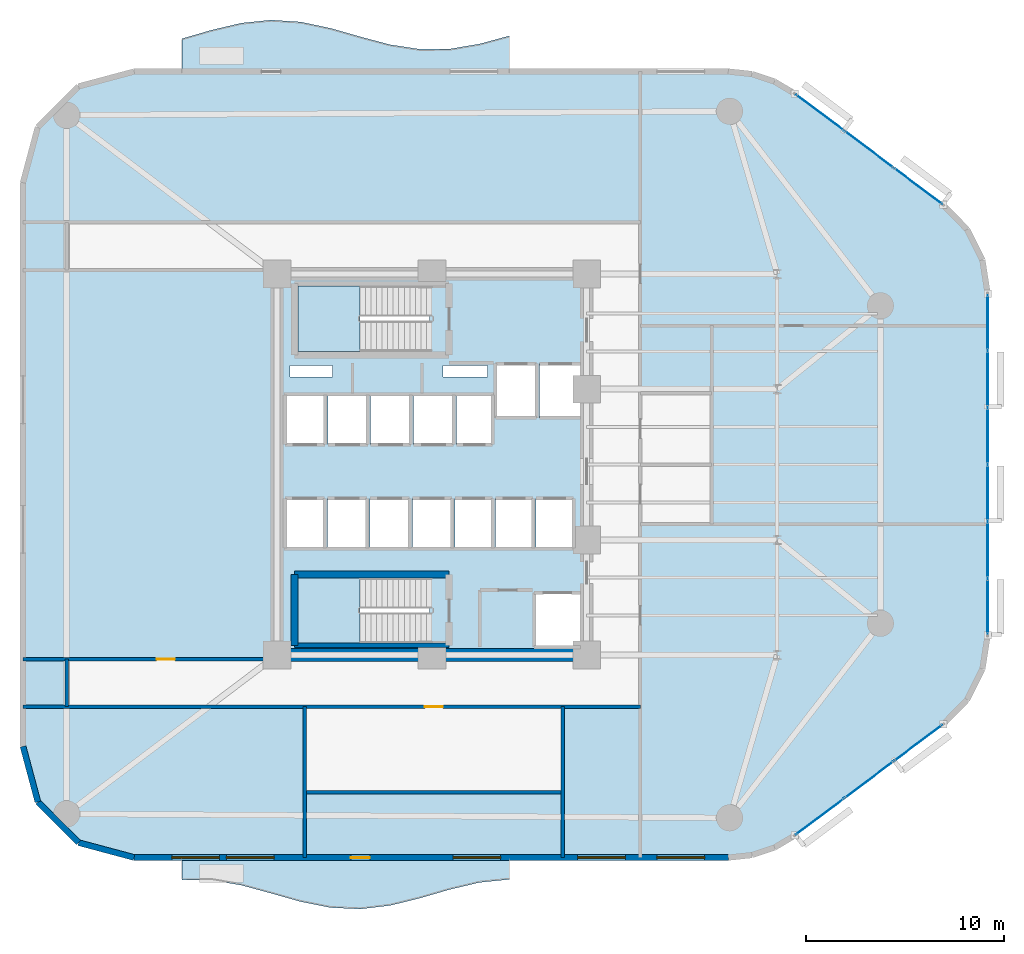
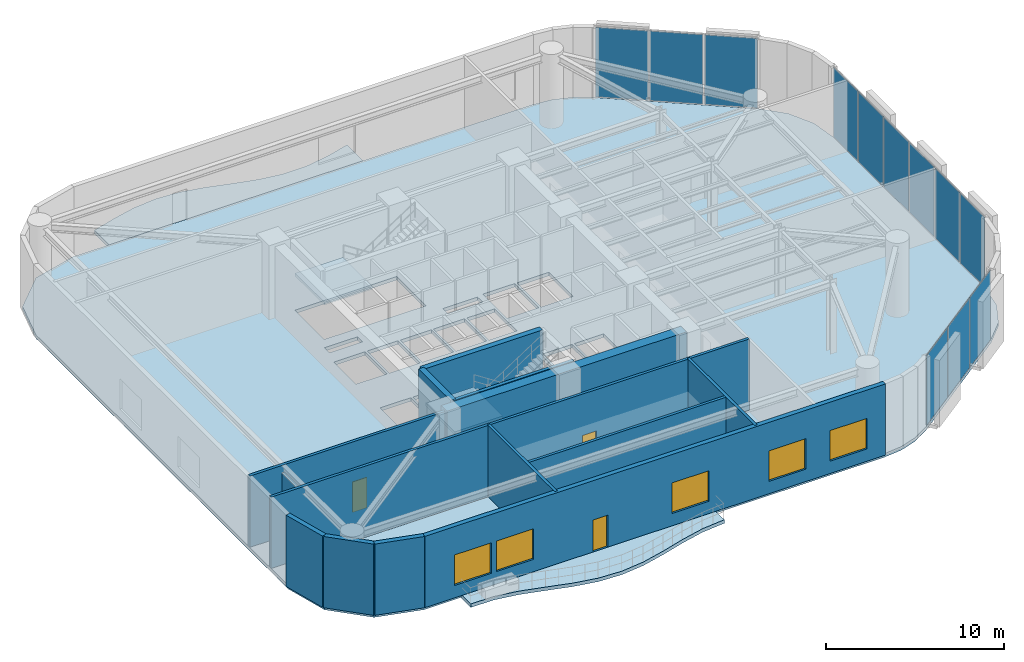
# One storey, part 9 of 14: 14 walls, 12 plates, 5 slabs, 5 windows, 3 doors, 8 openings, 5 elements without a shape of their own.
"""IFC4 building model written with IfcOpenShell, lengths in metres."""

from ifc_helpers import new_model, si_unit, direction, frame, frame_2d, origin, origin_2d, place, context, subcontext, project, spatial, polyline, rectangle, outline, extrude, material, layer, layer_set, type_object, element, fill, aggregate, save


model = new_model("IFC4")

# Units and contexts
model_context = context("Model", 3, precision=1e-05, world=origin(), true_north=direction((0.0, 1.0)))
body_context = subcontext(model_context, "Body", "Model", "MODEL_VIEW")
ifc_project = project(units=[si_unit("LENGTHUNIT", "METRE"), si_unit("AREAUNIT", "SQUARE_METRE"), si_unit("VOLUMEUNIT", "CUBIC_METRE"), si_unit("PLANEANGLEUNIT", "RADIAN"), si_unit("MASSUNIT", "GRAM", prefix="KILO")], contexts=[model_context])

# Site, building, storey
site_placement = place(None, origin())
site = spatial("IfcSite", under=ifc_project, at=site_placement, CompositionType="ELEMENT")
building_placement = place(site_placement, origin())
building = spatial("IfcBuilding", under=site, at=building_placement, Name="An Khanh Terracotta Commons", CompositionType="ELEMENT")
storey_placement = place(building_placement, frame((0.0, 0.0, 81.199951171875)))
storey = spatial("IfcBuildingStorey", under=building, at=storey_placement, Name="L21", CompositionType="ELEMENT", Elevation=81.199951171875)

# Curtain wall, plates
ifc_material_1 = material(Name="Anodised Aluminium 6063-T6", Category="aluminium")
ifc_layer_1 = layer(ifc_material_1, 0.239990234375, Name="Anodised Aluminium 6063-T6")
ifc_layer_set_1 = layer_set([ifc_layer_1], Name="Anodised Aluminium 6063-T6")
curtain_wall_type = type_object("IfcCurtainWallType", Name="CW-SYS-04", PredefinedType="USERDEFINED", material=ifc_layer_set_1)
curtain_wall_1_placement = place(storey_placement, origin())
curtain_wall_1 = element("IfcCurtainWall", 1, at=curtain_wall_1_placement, inside=storey, type_object=curtain_wall_type, Name="L21 CW-04 Unitised Curtain Wall CW-L21-08", ObjectType="UNITISED CURTAIN WALL", PredefinedType="USERDEFINED")
ifc_material_2 = material(Name="Triple-Silver Sky-Lobby Glazing", Category="glass")
ifc_layer_2 = layer(ifc_material_2, 0.0400390625, Name="Triple-Silver Sky-Lobby Glazing")
ifc_layer_set_2 = layer_set([ifc_layer_2], Name="Triple-Silver Sky-Lobby Glazing")
plate_type = type_object("IfcPlateType", Name="CWP-IGU-40", PredefinedType="CURTAIN_PANEL", material=ifc_layer_set_2)
plate_1_placement = place(storey_placement, frame((48.95361328125, 6.265380859375, 0.06005859375), z_axis=(0.0, 0.0, 1.0), x_axis=(0.800012856594, 0.599982857492, 0.0)))
plate_1 = element("IfcPlate", 2, at=plate_1_placement, type_object=plate_type, Name="CW-04 panel 1.1", PredefinedType="CURTAIN_PANEL", context=body_context, shape_type="SweptSolid", body=[
    extrude(rectangle(XDim=2.9912109375, YDim=0.0400390625, at=origin_2d()), origin(), (0.0, 0.0, 1.0), 4.780029296875),
])
plate_2_placement = place(storey_placement, frame((51.426513671875, 8.1201171875, 0.06005859375), z_axis=(0.0, 0.0, 1.0), x_axis=(0.800012856594, 0.599982857492, 0.0)))
plate_2 = element("IfcPlate", 3, at=plate_2_placement, type_object=plate_type, Name="CW-04 panel 2.1", PredefinedType="CURTAIN_PANEL", context=body_context, shape_type="SweptSolid", body=[
    extrude(rectangle(XDim=3.03125, YDim=0.0400390625, at=origin_2d()), origin(), (0.0, 0.0, 1.0), 4.780029296875),
])
plate_3_placement = place(storey_placement, frame((53.8994140625, 9.974609375, 0.06005859375), z_axis=(0.0, 0.0, 1.0), x_axis=(0.800012856594, 0.599982857492, 0.0)))
plate_3 = element("IfcPlate", 4, at=plate_3_placement, type_object=plate_type, Name="CW-04 panel 3.1", PredefinedType="CURTAIN_PANEL", context=body_context, shape_type="SweptSolid", body=[
    extrude(rectangle(XDim=2.9912109375, YDim=0.0400390625, at=origin_2d()), origin(), (0.0, 0.0, 1.0), 4.780029296875),
])
aggregate(curtain_wall_1, [plate_1, plate_2, plate_3])

curtain_wall_2_placement = place(storey_placement, origin())
curtain_wall_2 = element("IfcCurtainWall", 5, at=curtain_wall_2_placement, inside=storey, type_object=curtain_wall_type, Name="L21 CW-04 Unitised Curtain Wall CW-L21-12", ObjectType="UNITISED CURTAIN WALL", PredefinedType="USERDEFINED")
plate_4_placement = place(storey_placement, frame((57.39990234375, 16.853271484375, 0.06005859375), z_axis=(0.0, 0.0, 1.0), x_axis=(0.0, 1.0, 0.0)))
plate_4 = element("IfcPlate", 6, at=plate_4_placement, type_object=plate_type, Name="CW-04 panel 1.1", PredefinedType="CURTAIN_PANEL", context=body_context, shape_type="SweptSolid", body=[
    extrude(rectangle(XDim=2.74658203125, YDim=0.0400390625, at=origin_2d()), origin(), (0.0, 0.0, 1.0), 4.780029296875),
])
plate_5_placement = place(storey_placement, frame((57.39990234375, 19.699951171875, 0.06005859375), z_axis=(0.0, 0.0, 1.0), x_axis=(0.0, 1.0, 0.0)))
plate_5 = element("IfcPlate", 7, at=plate_5_placement, type_object=plate_type, Name="CW-04 panel 2.1", PredefinedType="CURTAIN_PANEL", context=body_context, shape_type="SweptSolid", body=[
    extrude(rectangle(XDim=2.78662109375, YDim=0.0400390625, at=origin_2d()), origin(), (0.0, 0.0, 1.0), 4.780029296875),
])
plate_6_placement = place(storey_placement, frame((57.39990234375, 22.566650390625, 0.06005859375), z_axis=(0.0, 0.0, 1.0), x_axis=(0.0, 1.0, 0.0)))
plate_6 = element("IfcPlate", 8, at=plate_6_placement, type_object=plate_type, Name="CW-04 panel 3.1", PredefinedType="CURTAIN_PANEL", context=body_context, shape_type="SweptSolid", body=[
    extrude(rectangle(XDim=2.78662109375, YDim=0.0400390625, at=origin_2d()), origin(), (0.0, 0.0, 1.0), 4.780029296875),
])
plate_7_placement = place(storey_placement, frame((57.39990234375, 25.433349609375, 0.06005859375), z_axis=(0.0, 0.0, 1.0), x_axis=(0.0, 1.0, 0.0)))
plate_7 = element("IfcPlate", 9, at=plate_7_placement, type_object=plate_type, Name="CW-04 panel 4.1", PredefinedType="CURTAIN_PANEL", context=body_context, shape_type="SweptSolid", body=[
    extrude(rectangle(XDim=2.78662109375, YDim=0.0400390625, at=origin_2d()), origin(), (0.0, 0.0, 1.0), 4.780029296875),
])
plate_8_placement = place(storey_placement, frame((57.39990234375, 28.300048828125, 0.06005859375), z_axis=(0.0, 0.0, 1.0), x_axis=(0.0, 1.0, 0.0)))
plate_8 = element("IfcPlate", 10, at=plate_8_placement, type_object=plate_type, Name="CW-04 panel 5.1", PredefinedType="CURTAIN_PANEL", context=body_context, shape_type="SweptSolid", body=[
    extrude(rectangle(XDim=2.78662109375, YDim=0.0400390625, at=origin_2d()), origin(), (0.0, 0.0, 1.0), 4.780029296875),
])
plate_9_placement = place(storey_placement, frame((57.39990234375, 31.146728515625, 0.06005859375), z_axis=(0.0, 0.0, 1.0), x_axis=(0.0, 1.0, 0.0)))
plate_9 = element("IfcPlate", 11, at=plate_9_placement, type_object=plate_type, Name="CW-04 panel 6.1", PredefinedType="CURTAIN_PANEL", context=body_context, shape_type="SweptSolid", body=[
    extrude(rectangle(XDim=2.74658203125, YDim=0.0400390625, at=origin_2d()), origin(), (0.0, 0.0, 1.0), 4.780029296875),
])
aggregate(curtain_wall_2, [plate_4, plate_5, plate_6, plate_7, plate_8, plate_9])

curtain_wall_3_placement = place(storey_placement, origin())
curtain_wall_3 = element("IfcCurtainWall", 12, at=curtain_wall_3_placement, inside=storey, type_object=curtain_wall_type, Name="L21 CW-04 Unitised Curtain Wall CW-L21-16", ObjectType="UNITISED CURTAIN WALL", PredefinedType="USERDEFINED")
plate_10_placement = place(storey_placement, frame((53.8994140625, 38.025390625, 0.06005859375), z_axis=(0.0, 0.0, 1.0), x_axis=(-0.800012856594, 0.599982857492, 0.0)))
plate_10 = element("IfcPlate", 13, at=plate_10_placement, type_object=plate_type, Name="CW-04 panel 1.1", PredefinedType="CURTAIN_PANEL", context=body_context, shape_type="SweptSolid", body=[
    extrude(rectangle(XDim=2.9912109375, YDim=0.0400390625, at=origin_2d()), origin(), (0.0, 0.0, 1.0), 4.780029296875),
])
plate_11_placement = place(storey_placement, frame((51.426513671875, 39.8798828125, 0.06005859375), z_axis=(0.0, 0.0, 1.0), x_axis=(-0.800012856594, 0.599982857492, 0.0)))
plate_11 = element("IfcPlate", 14, at=plate_11_placement, type_object=plate_type, Name="CW-04 panel 2.1", PredefinedType="CURTAIN_PANEL", context=body_context, shape_type="SweptSolid", body=[
    extrude(rectangle(XDim=3.03125, YDim=0.0400390625, at=origin_2d()), origin(), (0.0, 0.0, 1.0), 4.780029296875),
])
plate_12_placement = place(storey_placement, frame((48.95361328125, 41.734619140625, 0.06005859375), z_axis=(0.0, 0.0, 1.0), x_axis=(-0.800012856594, 0.599982857492, 0.0)))
plate_12 = element("IfcPlate", 15, at=plate_12_placement, type_object=plate_type, Name="CW-04 panel 3.1", PredefinedType="CURTAIN_PANEL", context=body_context, shape_type="SweptSolid", body=[
    extrude(rectangle(XDim=2.9912109375, YDim=0.0400390625, at=origin_2d()), origin(), (0.0, 0.0, 1.0), 4.780029296875),
])
aggregate(curtain_wall_3, [plate_10, plate_11, plate_12])

# Slabs
ifc_material_3 = material(Name="Concrete C40/50", Category="concrete")
ifc_layer_3 = layer(ifc_material_3, 0.239990234375, Name="Concrete C40/50")
ifc_layer_set_3 = layer_set([ifc_layer_3], Name="Concrete C40/50")
slab_type_1 = type_object("IfcSlabType", Name="SLAB-BALC-240", PredefinedType="FLOOR", material=ifc_layer_set_3)
slab_1_placement = place(storey_placement, frame((0.0, 0.0, -0.239990234375)))
element("IfcSlab", 16, at=slab_1_placement, inside=storey, type_object=slab_type_1, Name="L21 S Sinusoidal Wave Balcony Slab", PredefinedType="FLOOR", context=body_context, shape_type="SweptSolid", body=[
    extrude(outline(polyline([(16.800048828125, 4.199951171875), (16.800048828125, 3.073974609375), (18.300048828125, 3.06005859375), (19.800048828125, 2.806884765625), (21.300048828125, 2.39892578125), (22.800048828125, 1.97509765625), (24.300048828125, 1.677001953125), (25.800048828125, 1.60595703125), (27.300048828125, 1.785888671875), (28.800048828125, 2.156005859375), (30.300048828125, 2.591064453125), (31.800048828125, 2.945068359375), (33.300048828125, 3.097900390625), (33.300048828125, 4.199951171875), (16.800048828125, 4.199951171875)])), origin(), (0.0, 0.0, 1.0), 0.239990234375),
])
slab_2_placement = place(storey_placement, frame((0.0, 0.0, -0.239990234375)))
element("IfcSlab", 17, at=slab_2_placement, inside=storey, type_object=slab_type_1, Name="L21 N Sinusoidal Wave Balcony Slab", PredefinedType="FLOOR", context=body_context, shape_type="SweptSolid", body=[
    extrude(outline(polyline([(33.300048828125, 43.800048828125), (33.300048828125, 45.60107421875), (31.800048828125, 45.193115234375), (30.300048828125, 44.93994140625), (28.800048828125, 44.926025390625), (27.300048828125, 45.155029296875), (25.800048828125, 45.552001953125), (24.300048828125, 45.98193359375), (22.800048828125, 46.300048828125), (21.300048828125, 46.39794921875), (19.800048828125, 46.2451171875), (18.300048828125, 45.89111328125), (16.800048828125, 45.4560546875), (16.800048828125, 43.800048828125), (33.300048828125, 43.800048828125)])), origin(), (0.0, 0.0, 1.0), 0.239990234375),
])

# Stair, slab
ifc_material_4 = material(Name="Precast concrete C40/50", Category="concrete")
stair_type = type_object("IfcStairType", Name="STAIR-CORE-1550", PredefinedType="HALF_TURN_STAIR", material=ifc_material_4)
stair_1_placement = place(storey_placement, origin())
stair_1 = element("IfcStair", 18, at=stair_1_placement, inside=storey, type_object=stair_type, Name="L21 Core Smokeproof Exit Stair ST-01", PredefinedType="HALF_TURN_STAIR")
ifc_layer_4 = layer(ifc_material_3, 0.18994140625, Name="Concrete C40/50")
ifc_layer_set_4 = layer_set([ifc_layer_4], Name="Concrete C40/50")
slab_type_2 = type_object("IfcSlabType", Name="SLAB-LANDING-190", PredefinedType="LANDING", material=ifc_layer_set_4)
slab_3_placement = place(storey_placement, frame((0.0, 0.0, 2.35009765625)))
slab_3 = element("IfcSlab", 19, at=slab_3_placement, type_object=slab_type_2, Name="ST-01 landing 1", PredefinedType="LANDING", context=body_context, shape_type="SweptSolid", body=[
    extrude(outline(polyline([(25.77001953125, 33.0), (22.64990234375, 33.0), (22.64990234375, 29.699951171875), (25.77001953125, 29.699951171875), (25.77001953125, 33.0)])), origin(), (0.0, 0.0, 1.0), 0.199951171875),
])
aggregate(stair_1, [slab_3])

stair_2_placement = place(storey_placement, origin())
stair_2 = element("IfcStair", 20, at=stair_2_placement, inside=storey, type_object=stair_type, Name="L21 Core Smokeproof Exit Stair ST-02", PredefinedType="HALF_TURN_STAIR")
slab_4_placement = place(storey_placement, frame((0.0, 0.0, 2.35009765625)))
slab_4 = element("IfcSlab", 21, at=slab_4_placement, type_object=slab_type_2, Name="ST-02 landing 1", PredefinedType="LANDING", context=body_context, shape_type="SweptSolid", body=[
    extrude(outline(polyline([(25.77001953125, 18.300048828125), (22.64990234375, 18.300048828125), (22.64990234375, 15.0), (25.77001953125, 15.0), (25.77001953125, 18.300048828125)])), origin(), (0.0, 0.0, 1.0), 0.199951171875),
])
aggregate(stair_2, [slab_4])

# Slab
ifc_layer_5 = layer(ifc_material_3, 0.239990234375, Name="Concrete C40/50")
ifc_layer_set_5 = layer_set([ifc_layer_5], Name="Concrete C40/50")
slab_type_3 = type_object("IfcSlabType", Name="SLAB-SKY-240", PredefinedType="FLOOR", material=ifc_layer_set_5)
slab_5_placement = place(storey_placement, frame((0.0, 0.0, -0.239990234375)))
element("IfcSlab", 22, at=slab_5_placement, inside=storey, type_object=slab_type_3, Name="L21 Structural Floor Slab", PredefinedType="FLOOR", context=body_context, shape_type="SweptSolid", body=[
    extrude(outline(polyline([(8.800048828125, 9.800048828125), (9.550048828125, 7.0), (11.60009765625, 4.949951171875), (14.39990234375, 4.199951171875), (44.3330078125, 4.199951171875), (45.52490234375, 4.327880859375), (46.6630859375, 4.70703125), (47.693115234375, 5.320068359375), (55.159912109375, 10.919921875), (56.364013671875, 12.154052734375), (57.135009765625, 13.696044921875), (57.39990234375, 15.39990234375), (57.39990234375, 32.60009765625), (57.135009765625, 34.303955078125), (56.364013671875, 35.845947265625), (55.159912109375, 37.080078125), (47.693115234375, 42.679931640625), (46.6630859375, 43.29296875), (45.52490234375, 43.672119140625), (44.3330078125, 43.800048828125), (14.39990234375, 43.800048828125), (11.60009765625, 43.050048828125), (9.550048828125, 41.0), (8.800048828125, 38.199951171875), (8.800048828125, 9.800048828125)]), holes=[polyline([(22.64990234375, 29.699951171875), (29.27001953125, 29.699951171875), (29.27001953125, 33.0), (22.64990234375, 33.0), (22.64990234375, 29.699951171875)]), polyline([(22.64990234375, 15.0), (29.27001953125, 15.0), (29.27001953125, 18.300048828125), (22.64990234375, 18.300048828125), (22.64990234375, 15.0)]), polyline([(32.60009765625, 26.35009765625), (34.679931640625, 26.35009765625), (34.679931640625, 29.080078125), (32.60009765625, 29.080078125), (32.60009765625, 26.35009765625)]), polyline([(34.820068359375, 26.35009765625), (36.89990234375, 26.35009765625), (36.89990234375, 29.080078125), (34.820068359375, 29.080078125), (34.820068359375, 26.35009765625)]), polyline([(34.550048828125, 14.800048828125), (36.89990234375, 14.800048828125), (36.89990234375, 17.550048828125), (34.550048828125, 17.550048828125), (34.550048828125, 14.800048828125)]), polyline([(22.0, 25.0), (24.02001953125, 25.0), (24.02001953125, 27.5), (22.0, 27.5), (22.0, 25.0)]), polyline([(24.159912109375, 25.0), (26.179931640625, 25.0), (26.179931640625, 27.5), (24.159912109375, 27.5), (24.159912109375, 25.0)]), polyline([(22.0, 19.800048828125), (24.0, 19.800048828125), (24.0, 22.300048828125), (22.0, 22.300048828125), (22.0, 19.800048828125)]), polyline([(24.139892578125, 19.800048828125), (26.139892578125, 19.800048828125), (26.139892578125, 22.300048828125), (24.139892578125, 22.300048828125), (24.139892578125, 19.800048828125)]), polyline([(26.320068359375, 25.0), (28.340087890625, 25.0), (28.340087890625, 27.5), (26.320068359375, 27.5), (26.320068359375, 25.0)]), polyline([(28.47998046875, 25.0), (30.5, 25.0), (30.5, 27.5), (28.47998046875, 27.5), (28.47998046875, 25.0)]), polyline([(26.280029296875, 19.800048828125), (28.280029296875, 19.800048828125), (28.280029296875, 22.300048828125), (26.280029296875, 22.300048828125), (26.280029296875, 19.800048828125)]), polyline([(28.419921875, 19.800048828125), (30.419921875, 19.800048828125), (30.419921875, 22.300048828125), (28.419921875, 22.300048828125), (28.419921875, 19.800048828125)]), polyline([(30.639892578125, 25.0), (32.4599609375, 25.0), (32.4599609375, 27.5), (30.639892578125, 27.5), (30.639892578125, 25.0)]), polyline([(30.56005859375, 19.800048828125), (32.4599609375, 19.800048828125), (32.4599609375, 22.300048828125), (30.56005859375, 22.300048828125), (30.56005859375, 19.800048828125)]), polyline([(32.60009765625, 19.800048828125), (34.5, 19.800048828125), (34.5, 22.300048828125), (32.60009765625, 22.300048828125), (32.60009765625, 19.800048828125)]), polyline([(34.639892578125, 19.800048828125), (36.5400390625, 19.800048828125), (36.5400390625, 22.300048828125), (34.639892578125, 22.300048828125), (34.639892578125, 19.800048828125)]), polyline([(22.25, 28.419921875), (24.39990234375, 28.419921875), (24.39990234375, 28.97998046875), (22.25, 28.97998046875), (22.25, 28.419921875)]), polyline([(29.949951171875, 28.419921875), (32.199951171875, 28.419921875), (32.199951171875, 28.97998046875), (29.949951171875, 28.97998046875), (29.949951171875, 28.419921875)])]), origin(), (0.0, 0.0, 1.0), 0.239990234375),
])

# Walls
ifc_material_5 = material(Name="Concrete C60/75", Category="concrete")
ifc_layer_6 = layer(ifc_material_5, 0.64990234375, Name="Concrete C60/75")
ifc_layer_set_6 = layer_set([ifc_layer_6], Name="Concrete C60/75")
wall_type_1 = type_object("IfcWallType", Name="WALL-CORE-650", PredefinedType="SHEAR", material=ifc_layer_set_6)
wall_1_placement = place(storey_placement, frame((37.199951171875, 14.39990234375, 0.0), z_axis=(0.0, 0.0, 1.0), x_axis=(-1.0, 0.0, 0.0)))
element("IfcWall", 23, at=wall_1_placement, inside=storey, type_object=wall_type_1, Name="L21 Core Wall CWALL-L21-S", PredefinedType="SHEAR", context=body_context, shape_type="SweptSolid", body=[
    extrude(rectangle(XDim=15.599853515625, YDim=0.64990234375, at=frame_2d((7.7998046875, 0.0))), origin(), (0.0, 0.0, 1.0), 4.900146484375),
])
ifc_material_6 = material(Name="Fire-Rated Gypsum Board on Steel Stud", Category="steel")
ifc_layer_7 = layer(ifc_material_6, 0.179931640625, Name="Fire-Rated Gypsum Board on Steel Stud")
ifc_layer_set_7 = layer_set([ifc_layer_7], Name="Fire-Rated Gypsum Board on Steel Stud")
wall_type_2 = type_object("IfcWallType", Name="WALL-CORR-180", PredefinedType="PARTITIONING", material=ifc_layer_set_7)
wall_2_placement = place(storey_placement, frame((23.0, 7.5, 0.0), z_axis=(0.0, 0.0, 1.0), x_axis=(1.0, 0.0, 0.0)))
element("IfcWall", 24, at=wall_2_placement, inside=storey, type_object=wall_type_2, Name="L21 Interior Partition IW-L21-E001", PredefinedType="PARTITIONING", context=body_context, shape_type="SweptSolid", body=[
    extrude(rectangle(XDim=13.0, YDim=0.179931640625, at=frame_2d((6.5, 0.0))), origin(), (0.0, 0.0, 1.0), 4.900146484375),
])

# Wall, opening, door
wall_3_placement = place(storey_placement, frame((8.800048828125, 11.800048828125, 0.0), z_axis=(0.0, 0.0, 1.0), x_axis=(1.0, 0.0, 0.0)))
wall_3 = element("IfcWall", 25, at=wall_3_placement, inside=storey, type_object=wall_type_2, Name="L21 Interior Partition IW-L21-E002", PredefinedType="PARTITIONING", context=body_context, shape_type="SweptSolid", body=[
    extrude(rectangle(XDim=31.099853515625, YDim=0.179931640625, at=frame_2d((15.5498046875, 0.0))), origin(), (0.0, 0.0, 1.0), 4.900146484375),
])
opening_1_placement = place(wall_3_placement, frame((20.25, 0.0, 0.0)))
opening_1 = element("IfcOpeningElement", 26, at=opening_1_placement, cuts=wall_3, Name="Opening D-SV", PredefinedType="OPENING", context=body_context, shape_type="SweptSolid", body=[
    extrude(rectangle(XDim=0.89990234375, YDim=2.050048828125, at=frame_2d((0.449951171875, 1.02490234375))), frame((0.0, 0.099853515625, 0.0), z_axis=(0.0, -1.0, 0.0), x_axis=(1.0, 0.0, 0.0)), (0.0, 0.0, 1.0), 0.199951171875),
])
ifc_material_7 = material(Name="Fire-Rated Powder-Coated Steel Door", Category="steel")
door_type_1 = type_object("IfcDoorType", Name="DOOR-SERV-900", OperationType="NOTDEFINED", PredefinedType="DOOR", material=ifc_material_7)
door_1_placement = place(opening_1_placement, origin())
door_1 = element("IfcDoor", 27, at=door_1_placement, inside=storey, type_object=door_type_1, Name="L21 HKP Sky Lobby Pantry Store Door", OperationType="SINGLE_SWING_RIGHT", OverallHeight=2.050048828125, OverallWidth=0.89990234375, PredefinedType="DOOR", context=body_context, shape_type="SweptSolid", body=[
    extrude(rectangle(XDim=0.89990234375, YDim=2.050048828125, at=frame_2d((0.449951171875, 1.02490234375))), frame((0.0, 0.02490234375, 0.0), z_axis=(0.0, -1.0, 0.0), x_axis=(1.0, 0.0, 0.0)), (0.0, 0.0, 1.0), 0.050048828125),
])
fill(opening_1, door_1)

wall_4_placement = place(storey_placement, frame((8.800048828125, 14.199951171875, 0.0), z_axis=(0.0, 0.0, 1.0), x_axis=(1.0, 0.0, 0.0)))
wall_4 = element("IfcWall", 28, at=wall_4_placement, inside=storey, type_object=wall_type_2, Name="L21 Interior Partition IW-L21-E003", PredefinedType="PARTITIONING", context=body_context, shape_type="SweptSolid", body=[
    extrude(rectangle(XDim=12.699951171875, YDim=0.179931640625, at=frame_2d((6.35009765625, 0.0))), origin(), (0.0, 0.0, 1.0), 4.900146484375),
])
opening_2_placement = place(wall_4_placement, frame((6.72998046875, 0.0, 0.0)))
opening_2 = element("IfcOpeningElement", 29, at=opening_2_placement, cuts=wall_4, Name="Opening D-RM", PredefinedType="OPENING", context=body_context, shape_type="SweptSolid", body=[
    extrude(rectangle(XDim=0.919921875, YDim=2.10009765625, at=frame_2d((0.4599609375, 1.050048828125))), frame((0.0, 0.099853515625, 0.0), z_axis=(0.0, -1.0, 0.0), x_axis=(1.0, 0.0, 0.0)), (0.0, 0.0, 1.0), 0.199951171875),
])
ifc_material_8 = material(Name="Engineered Hardwood Timber Leaf", Category="wood")
door_type_2 = type_object("IfcDoorType", Name="DOOR-INT-920", OperationType="NOTDEFINED", PredefinedType="DOOR", material=ifc_material_8)
door_2_placement = place(opening_2_placement, origin())
door_2 = element("IfcDoor", 30, at=door_2_placement, inside=storey, type_object=door_type_2, Name="L21 SWST Co-Working Focus Office Door", OperationType="SINGLE_SWING_LEFT", OverallHeight=2.10009765625, OverallWidth=0.919921875, PredefinedType="DOOR", context=body_context, shape_type="SweptSolid", body=[
    extrude(rectangle(XDim=0.919921875, YDim=2.10009765625, at=frame_2d((0.4599609375, 1.050048828125))), frame((0.0, 0.02490234375, 0.0), z_axis=(0.0, -1.0, 0.0), x_axis=(1.0, 0.0, 0.0)), (0.0, 0.0, 1.0), 0.050048828125),
])
fill(opening_2, door_2)

# Walls
wall_5_placement = place(storey_placement, frame((11.0, 11.800048828125, 0.0), z_axis=(0.0, 0.0, 1.0), x_axis=(0.0, 1.0, 0.0)))
element("IfcWall", 31, at=wall_5_placement, inside=storey, type_object=wall_type_2, Name="L21 Interior Partition IW-L21-E010", PredefinedType="PARTITIONING", context=body_context, shape_type="SweptSolid", body=[
    extrude(rectangle(XDim=2.39990234375, YDim=0.179931640625, at=frame_2d((1.199951171875, 0.0))), origin(), (0.0, 0.0, 1.0), 4.382080078125),
])
for number, where, z_axis, x_axis, name in (
    (32, (23.0, 4.199951171875, 0.0), (0.0, 0.0, 1.0), (0.0, 1.0, 0.0), "L21 Interior Partition IW-L21-E012"),
    (33, (36.0, 4.199951171875, 0.0), (0.0, 0.0, 1.0), (0.0, 1.0, 0.0), "L21 Interior Partition IW-L21-E013"),
):
    element("IfcWall", number, at=place(storey_placement, frame(where, z_axis=z_axis, x_axis=x_axis)), inside=storey, type_object=wall_type_2, Name=name, PredefinedType="PARTITIONING", context=body_context, shape_type="SweptSolid", body=[
        extrude(rectangle(XDim=7.60009765625, YDim=0.179931640625, at=frame_2d((3.800048828125, 0.0))), origin(), (0.0, 0.0, 1.0), 4.900146484375),
    ])
ifc_layer_8 = layer(ifc_material_4, 0.300048828125, Name="Precast concrete C40/50")
ifc_layer_set_8 = layer_set([ifc_layer_8], Name="Precast concrete C40/50")
wall_type_3 = type_object("IfcWallType", Name="WALL-EXT-300", PredefinedType="SOLIDWALL", material=ifc_layer_set_8)
wall_6_placement = place(storey_placement, frame((8.800048828125, 9.800048828125, 0.0), z_axis=(0.0, 0.0, 1.0), x_axis=(0.258731875344, -0.96594917914, 0.0)))
element("IfcWall", 34, at=wall_6_placement, inside=storey, type_object=wall_type_3, Name="L21 Insulated Terracotta Exterior Wall 1", PredefinedType="SOLIDWALL", context=body_context, shape_type="SweptSolid", body=[
    extrude(rectangle(XDim=2.898681640625, YDim=0.300048828125, at=frame_2d((1.44921875, 0.0))), origin(), (0.0, 0.0, 1.0), 4.900146484375),
])
wall_7_placement = place(storey_placement, frame((9.550048828125, 7.0, 0.0), z_axis=(0.0, 0.0, 1.0), x_axis=(0.707106781187, -0.707106781187, 0.0)))
element("IfcWall", 35, at=wall_7_placement, inside=storey, type_object=wall_type_3, Name="L21 Insulated Terracotta Exterior Wall 2", PredefinedType="SOLIDWALL", context=body_context, shape_type="SweptSolid", body=[
    extrude(rectangle(XDim=2.899169921875, YDim=0.300048828125, at=frame_2d((1.44970703125, 0.0))), origin(), (0.0, 0.0, 1.0), 4.900146484375),
])
wall_8_placement = place(storey_placement, frame((11.60009765625, 4.949951171875, 0.0), z_axis=(0.0, 0.0, 1.0), x_axis=(0.965943540406, -0.258752926066, 0.0)))
element("IfcWall", 36, at=wall_8_placement, inside=storey, type_object=wall_type_3, Name="L21 Insulated Terracotta Exterior Wall 3", PredefinedType="SOLIDWALL", context=body_context, shape_type="SweptSolid", body=[
    extrude(rectangle(XDim=2.8984375, YDim=0.300048828125, at=frame_2d((1.44921875, 0.0))), origin(), (0.0, 0.0, 1.0), 4.900146484375),
])

# Wall, openings, door, windows
wall_9_placement = place(storey_placement, frame((14.39990234375, 4.199951171875, 0.0), z_axis=(0.0, 0.0, 1.0), x_axis=(1.0, 0.0, 0.0)))
wall_9 = element("IfcWall", 37, at=wall_9_placement, inside=storey, type_object=wall_type_3, Name="L21 Insulated Terracotta Exterior Wall 4", PredefinedType="SOLIDWALL", context=body_context, shape_type="SweptSolid", body=[
    extrude(rectangle(XDim=29.93310546875, YDim=0.300048828125, at=frame_2d((14.966552734375, 0.0))), origin(), (0.0, 0.0, 1.0), 4.900146484375),
])
opening_3_placement = place(wall_9_placement, frame((10.925048828125, 0.0, 0.0)))
opening_3 = element("IfcOpeningElement", 38, at=opening_3_placement, cuts=wall_9, Name="Opening D-BAL", PredefinedType="OPENING", context=body_context, shape_type="SweptSolid", body=[
    extrude(rectangle(XDim=0.949951171875, YDim=2.199951171875, at=frame_2d((0.47509765625, 1.10009765625))), frame((0.0, 0.159912109375, 0.0), z_axis=(0.0, -1.0, 0.0), x_axis=(1.0, 0.0, 0.0)), (0.0, 0.0, 1.0), 0.320068359375),
])
opening_4_placement = place(wall_9_placement, frame((1.89990234375, 0.0, 0.85009765625)))
opening_4 = element("IfcOpeningElement", 39, at=opening_4_placement, cuts=wall_9, Name="Opening W-07", PredefinedType="OPENING", context=body_context, shape_type="SweptSolid", body=[
    extrude(rectangle(XDim=2.39990234375, YDim=2.10009765625, at=frame_2d((1.199951171875, 1.050048828125))), frame((0.0, 0.159912109375, 0.0), z_axis=(0.0, -1.0, 0.0), x_axis=(1.0, 0.0, 0.0)), (0.0, 0.0, 1.0), 0.320068359375),
])
opening_5_placement = place(wall_9_placement, frame((4.64990234375, 0.0, 0.85009765625)))
opening_5 = element("IfcOpeningElement", 40, at=opening_5_placement, cuts=wall_9, Name="Opening W-07", PredefinedType="OPENING", context=body_context, shape_type="SweptSolid", body=[
    extrude(rectangle(XDim=2.39990234375, YDim=2.10009765625, at=frame_2d((1.199951171875, 1.050048828125))), frame((0.0, 0.159912109375, 0.0), z_axis=(0.0, -1.0, 0.0), x_axis=(1.0, 0.0, 0.0)), (0.0, 0.0, 1.0), 0.320068359375),
])
opening_6_placement = place(wall_9_placement, frame((16.06689453125, 0.0, 0.85009765625)))
opening_6 = element("IfcOpeningElement", 41, at=opening_6_placement, cuts=wall_9, Name="Opening W-07", PredefinedType="OPENING", context=body_context, shape_type="SweptSolid", body=[
    extrude(rectangle(XDim=2.39990234375, YDim=2.10009765625, at=frame_2d((1.199951171875, 1.050048828125))), frame((0.0, 0.159912109375, 0.0), z_axis=(0.0, -1.0, 0.0), x_axis=(1.0, 0.0, 0.0)), (0.0, 0.0, 1.0), 0.320068359375),
])
opening_7_placement = place(wall_9_placement, frame((22.35009765625, 0.0, 0.85009765625)))
opening_7 = element("IfcOpeningElement", 42, at=opening_7_placement, cuts=wall_9, Name="Opening W-07", PredefinedType="OPENING", context=body_context, shape_type="SweptSolid", body=[
    extrude(rectangle(XDim=2.39990234375, YDim=2.10009765625, at=frame_2d((1.199951171875, 1.050048828125))), frame((0.0, 0.159912109375, 0.0), z_axis=(0.0, -1.0, 0.0), x_axis=(1.0, 0.0, 0.0)), (0.0, 0.0, 1.0), 0.320068359375),
])
opening_8_placement = place(wall_9_placement, frame((26.341064453125, 0.0, 0.85009765625)))
opening_8 = element("IfcOpeningElement", 43, at=opening_8_placement, cuts=wall_9, Name="Opening W-07", PredefinedType="OPENING", context=body_context, shape_type="SweptSolid", body=[
    extrude(rectangle(XDim=2.39990234375, YDim=2.10009765625, at=frame_2d((1.199951171875, 1.050048828125))), frame((0.0, 0.159912109375, 0.0), z_axis=(0.0, -1.0, 0.0), x_axis=(1.0, 0.0, 0.0)), (0.0, 0.0, 1.0), 0.320068359375),
])
ifc_material_9 = material(Name="Thermally Broken Aluminium and Low-E Glass", Category="aluminium")
door_type_3 = type_object("IfcDoorType", Name="DOOR-BALC-950", OperationType="NOTDEFINED", PredefinedType="DOOR", material=ifc_material_9)
door_3_placement = place(opening_3_placement, origin())
door_3 = element("IfcDoor", 44, at=door_3_placement, inside=storey, type_object=door_type_3, Name="L21 S Wave Balcony Glazed Door", OperationType="SINGLE_SWING_LEFT", OverallHeight=2.199951171875, OverallWidth=0.949951171875, PredefinedType="DOOR", context=body_context, shape_type="SweptSolid", body=[
    extrude(rectangle(XDim=0.949951171875, YDim=2.199951171875, at=frame_2d((0.47509765625, 1.10009765625))), frame((0.0, 0.02490234375, 0.0), z_axis=(0.0, -1.0, 0.0), x_axis=(1.0, 0.0, 0.0)), (0.0, 0.0, 1.0), 0.050048828125),
])
fill(opening_3, door_3)
window_type = type_object("IfcWindowType", Name="WIN-SKY-2400x2100", PartitioningType="TRIPLE_PANEL_VERTICAL", PredefinedType="WINDOW", material=ifc_material_9)
window_1_placement = place(opening_4_placement, origin())
window_1 = element("IfcWindow", 45, at=window_1_placement, inside=storey, type_object=window_type, Name="L21 Operable Casement Window 4.1", OverallHeight=2.10009765625, OverallWidth=2.39990234375, PartitioningType="TRIPLE_PANEL_VERTICAL", PredefinedType="WINDOW", context=body_context, shape_type="SweptSolid", body=[
    extrude(rectangle(XDim=2.39990234375, YDim=2.10009765625, at=frame_2d((1.199951171875, 1.050048828125))), frame((0.0, 0.030029296875, 0.0), z_axis=(0.0, -1.0, 0.0), x_axis=(1.0, 0.0, 0.0)), (0.0, 0.0, 1.0), 0.06005859375),
])
fill(opening_4, window_1)
window_2_placement = place(opening_5_placement, origin())
window_2 = element("IfcWindow", 46, at=window_2_placement, inside=storey, type_object=window_type, Name="L21 Operable Casement Window 4.2", OverallHeight=2.10009765625, OverallWidth=2.39990234375, PartitioningType="TRIPLE_PANEL_VERTICAL", PredefinedType="WINDOW", context=body_context, shape_type="SweptSolid", body=[
    extrude(rectangle(XDim=2.39990234375, YDim=2.10009765625, at=frame_2d((1.199951171875, 1.050048828125))), frame((0.0, 0.030029296875, 0.0), z_axis=(0.0, -1.0, 0.0), x_axis=(1.0, 0.0, 0.0)), (0.0, 0.0, 1.0), 0.06005859375),
])
fill(opening_5, window_2)
window_3_placement = place(opening_6_placement, origin())
window_3 = element("IfcWindow", 47, at=window_3_placement, inside=storey, type_object=window_type, Name="L21 Operable Casement Window 4.3", OverallHeight=2.10009765625, OverallWidth=2.39990234375, PartitioningType="TRIPLE_PANEL_VERTICAL", PredefinedType="WINDOW", context=body_context, shape_type="SweptSolid", body=[
    extrude(rectangle(XDim=2.39990234375, YDim=2.10009765625, at=frame_2d((1.199951171875, 1.050048828125))), frame((0.0, 0.030029296875, 0.0), z_axis=(0.0, -1.0, 0.0), x_axis=(1.0, 0.0, 0.0)), (0.0, 0.0, 1.0), 0.06005859375),
])
fill(opening_6, window_3)
window_4_placement = place(opening_7_placement, origin())
window_4 = element("IfcWindow", 48, at=window_4_placement, inside=storey, type_object=window_type, Name="L21 Operable Casement Window 4.4", OverallHeight=2.10009765625, OverallWidth=2.39990234375, PartitioningType="TRIPLE_PANEL_VERTICAL", PredefinedType="WINDOW", context=body_context, shape_type="SweptSolid", body=[
    extrude(rectangle(XDim=2.39990234375, YDim=2.10009765625, at=frame_2d((1.199951171875, 1.050048828125))), frame((0.0, 0.030029296875, 0.0), z_axis=(0.0, -1.0, 0.0), x_axis=(1.0, 0.0, 0.0)), (0.0, 0.0, 1.0), 0.06005859375),
])
fill(opening_7, window_4)
window_5_placement = place(opening_8_placement, origin())
window_5 = element("IfcWindow", 49, at=window_5_placement, inside=storey, type_object=window_type, Name="L21 Operable Casement Window 4.5", OverallHeight=2.10009765625, OverallWidth=2.39990234375, PartitioningType="TRIPLE_PANEL_VERTICAL", PredefinedType="WINDOW", context=body_context, shape_type="SweptSolid", body=[
    extrude(rectangle(XDim=2.39990234375, YDim=2.10009765625, at=frame_2d((1.199951171875, 1.050048828125))), frame((0.0, 0.030029296875, 0.0), z_axis=(0.0, -1.0, 0.0), x_axis=(1.0, 0.0, 0.0)), (0.0, 0.0, 1.0), 0.06005859375),
])
fill(opening_8, window_5)

# Walls
ifc_material_10 = material(Name="Acoustic Double-Stud Gypsum and Mineral Wool")
ifc_layer_9 = layer(ifc_material_10, 0.219970703125, Name="Acoustic Double-Stud Gypsum and Mineral Wool")
ifc_layer_set_9 = layer_set([ifc_layer_9], Name="Acoustic Double-Stud Gypsum and Mineral Wool")
wall_type_4 = type_object("IfcWallType", Name="WALL-PARTY-220", PredefinedType="PARTITIONING", material=ifc_layer_set_9)
wall_10_placement = place(storey_placement, frame((22.47998046875, 14.889892578125, 0.0), z_axis=(0.0, 0.0, 1.0), x_axis=(1.0, 0.0, 0.0)))
element("IfcWall", 50, at=wall_10_placement, inside=storey, type_object=wall_type_4, Name="L21 Core Wall STW-L21-S-S", PredefinedType="PARTITIONING", context=body_context, shape_type="SweptSolid", body=[
    extrude(rectangle(XDim=7.7900390625, YDim=0.219970703125, at=frame_2d((3.89501953125, 0.0))), origin(), (0.0, 0.0, 1.0), 4.900146484375),
])
ifc_material_11 = material(Name="Concrete C50/60", Category="concrete")
ifc_layer_10 = layer(ifc_material_11, 0.35009765625, Name="Concrete C50/60")
ifc_layer_set_10 = layer_set([ifc_layer_10], Name="Concrete C50/60")
wall_type_5 = type_object("IfcWallType", Name="WALL-SHAFT-350", PredefinedType="SOLIDWALL", material=ifc_layer_set_10)
wall_11_placement = place(storey_placement, frame((22.47998046875, 18.469970703125, 0.0), z_axis=(0.0, 0.0, 1.0), x_axis=(1.0, 0.0, 0.0)))
element("IfcWall", 51, at=wall_11_placement, inside=storey, type_object=wall_type_5, Name="L21 Core Wall STW-L21-S-N", PredefinedType="SOLIDWALL", context=body_context, shape_type="SweptSolid", body=[
    extrude(rectangle(XDim=7.7900390625, YDim=0.35009765625, at=frame_2d((3.89501953125, 0.0))), origin(), (0.0, 0.0, 1.0), 4.900146484375),
])
wall_12_placement = place(storey_placement, frame((22.47998046875, 14.889892578125, 0.0), z_axis=(0.0, 0.0, 1.0), x_axis=(0.0, 1.0, 0.0)))
element("IfcWall", 52, at=wall_12_placement, inside=storey, type_object=wall_type_5, Name="L21 Core Wall STW-L21-S-W", PredefinedType="SOLIDWALL", context=body_context, shape_type="SweptSolid", body=[
    extrude(rectangle(XDim=3.580078125, YDim=0.35009765625, at=frame_2d((1.7900390625, 0.0))), origin(), (0.0, 0.0, 1.0), 4.900146484375),
])

save(model, "model.ifc")
